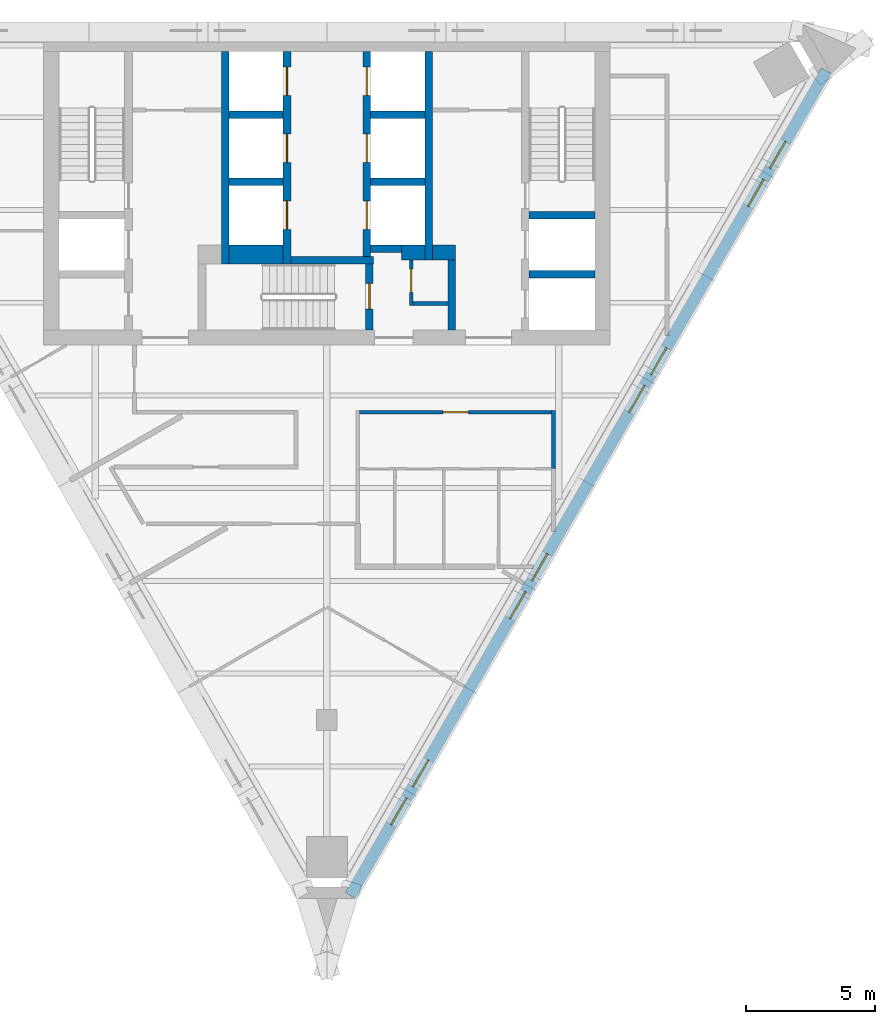
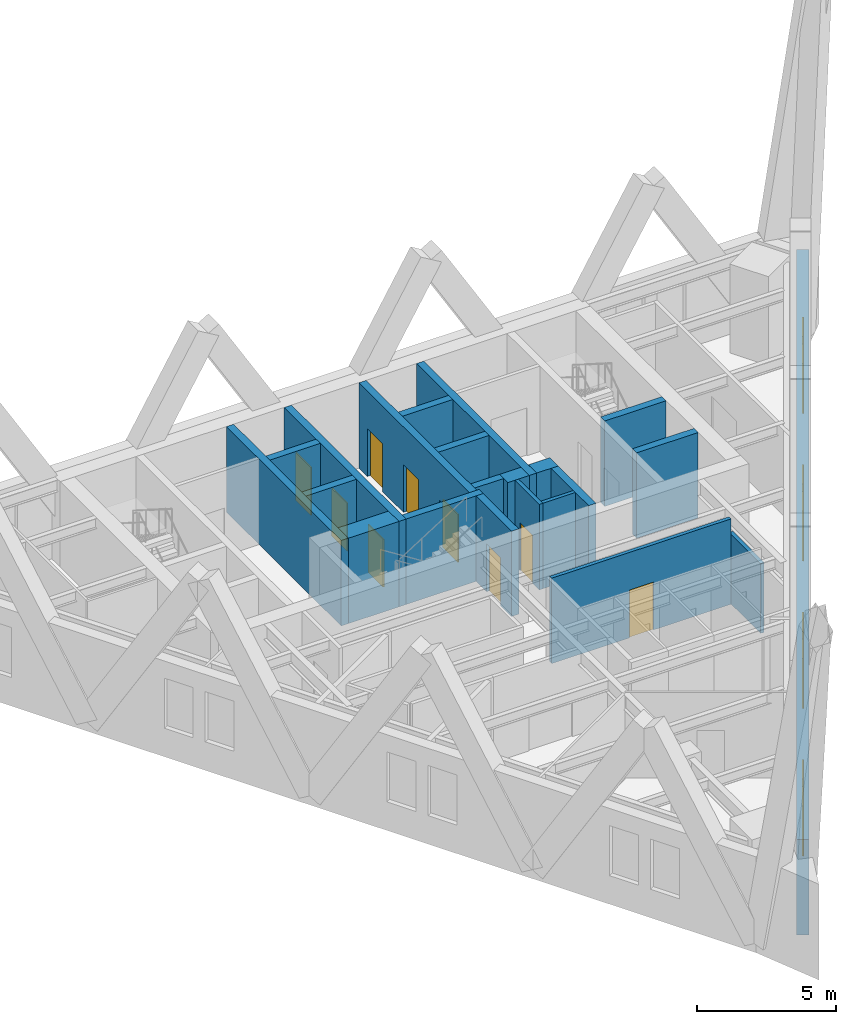
# One storey, part 4 of 6: 22 walls, 9 doors, 8 windows, 17 openings.
"""IFC4 building model written with IfcOpenShell, lengths in metres."""

from ifc_helpers import new_model, si_unit, direction, frame, frame_2d, origin, place, context, subcontext, project, spatial, polyline, rectangle, outline, extrude, material, layer, layer_set, type_object, element, fill, save


model = new_model("IFC4")

# Units and contexts
model_context = context("Model", 3, precision=1e-05, world=origin(), true_north=direction((0.0, 1.0)))
body_context = subcontext(model_context, "Body", "Model", "MODEL_VIEW")
ifc_project = project(units=[si_unit("LENGTHUNIT", "METRE"), si_unit("AREAUNIT", "SQUARE_METRE"), si_unit("VOLUMEUNIT", "CUBIC_METRE"), si_unit("PLANEANGLEUNIT", "RADIAN"), si_unit("MASSUNIT", "GRAM", prefix="KILO")], contexts=[model_context])

# Site, building, storey
site_placement = place(None, origin())
site = spatial("IfcSite", under=ifc_project, at=site_placement, CompositionType="ELEMENT")
building_placement = place(site_placement, origin())
building = spatial("IfcBuilding", under=site, at=building_placement, Name="Aloe Facet Convention Tower", CompositionType="ELEMENT")
storey_placement = place(building_placement, frame((0.0, 0.0, 238.699951171875)))
storey = spatial("IfcBuildingStorey", under=building, at=storey_placement, Name="L58", CompositionType="ELEMENT", Elevation=238.699951171875)

# Wall, opening, door
ifc_material_1 = material(Name="Concrete blockwork partition", Category="masonry")
ifc_layer_1 = layer(ifc_material_1, 0.14990234375)
ifc_layer_set_1 = layer_set([ifc_layer_1], Name="CR-W-PART150")
wall_type_1 = type_object("IfcWallType", Name="CR-W-PART150", PredefinedType="PARTITIONING", material=ifc_layer_set_1)
wall_1_placement = place(storey_placement, frame((83.27490234375, 125.85009765625, 0.0), z_axis=(0.0, 0.0, 1.0), x_axis=(0.0, -1.0, 0.0)))
wall_1 = element("IfcWall", 1, at=wall_1_placement, inside=storey, type_object=wall_type_1, Name="Core partition L58-022", PredefinedType="PARTITIONING", context=body_context, shape_type="SweptSolid", body=[
    extrude(rectangle(XDim=1.75, YDim=0.14990234375, at=frame_2d((0.875, 0.0))), origin(), (0.0, 0.0, 1.0), 3.75),
])
opening_1_placement = place(wall_1_placement, frame((0.35009765625, 0.0, 0.0)))
opening_1 = element("IfcOpeningElement", 2, at=opening_1_placement, cuts=wall_1, Name="Opening L58-CD12", PredefinedType="OPENING", context=body_context, shape_type="SweptSolid", body=[
    extrude(rectangle(XDim=0.89990234375, YDim=2.10009765625, at=frame_2d((0.449951171875, 1.050048828125))), frame((0.0, 0.0849609375, 0.0), z_axis=(0.0, -1.0, 0.0), x_axis=(1.0, 0.0, 0.0)), (0.0, 0.0, 1.0), 0.169921875),
])
ifc_material_2 = material(Name="Steel fire-resisting door set FD60", Category="steel")
door_type_1 = type_object("IfcDoorType", Name="CR-D-REFUGE-900-FD60-SRIGHT", OperationType="SINGLE_SWING_RIGHT", PredefinedType="DOOR", material=ifc_material_2)
door_1_placement = place(opening_1_placement, origin())
door_1 = element("IfcDoor", 3, at=door_1_placement, inside=storey, type_object=door_type_1, Name="Core door L58-CD12", OperationType="SINGLE_SWING_RIGHT", OverallHeight=2.10009765625, OverallWidth=0.89990234375, PredefinedType="DOOR", context=body_context, shape_type="SweptSolid", body=[
    extrude(rectangle(XDim=0.89990234375, YDim=2.10009765625, at=frame_2d((0.449951171875, 1.050048828125))), frame((0.0, 0.02490234375, 0.0), z_axis=(0.0, -1.0, 0.0), x_axis=(1.0, 0.0, 0.0)), (0.0, 0.0, 1.0), 0.050048828125),
])
fill(opening_1, door_1)

# Walls
wall_2_placement = place(storey_placement, frame((83.35009765625, 124.175048828125, 0.0), z_axis=(0.0, 0.0, 1.0), x_axis=(1.0, 0.0, 0.0)))
element("IfcWall", 4, at=wall_2_placement, inside=storey, type_object=wall_type_1, Name="Core partition L58-023", PredefinedType="PARTITIONING", context=body_context, shape_type="SweptSolid", body=[
    extrude(rectangle(XDim=1.349853515625, YDim=0.14990234375, at=frame_2d((0.6748046875, 0.0))), origin(), (0.0, 0.0, 1.0), 3.75),
])
ifc_material_3 = material(Name="Concrete C50/60", Category="concrete")
ifc_layer_2 = layer(ifc_material_3, 0.300048828125)
ifc_layer_set_2 = layer_set([ifc_layer_2], Name="CR-W-RC300-C5060")
wall_type_2 = type_object("IfcWallType", Name="CR-W-RC300-C5060", PredefinedType="SOLIDWALL", material=ifc_layer_set_2)
wall_3_placement = place(storey_placement, frame((76.050048828125, 133.949951171875, 0.0), z_axis=(0.0, 0.0, 1.0), x_axis=(0.0, -1.0, 0.0)))
element("IfcWall", 5, at=wall_3_placement, inside=storey, type_object=wall_type_2, Name="Core wall L58-010", PredefinedType="SOLIDWALL", context=body_context, shape_type="SweptSolid", body=[
    extrude(rectangle(XDim=8.25, YDim=0.300048828125, at=frame_2d((4.125, 0.0))), origin(), (0.0, 0.0, 1.0), 3.75),
])
for number, where, z_axis, x_axis, name in (
    (6, (76.199951171875, 131.5, 0.0), (0.0, 0.0, 1.0), (1.0, 0.0, 0.0), "Core wall L58-011"),
    (7, (76.199951171875, 128.89990234375, 0.0), (0.0, 0.0, 1.0), (1.0, 0.0, 0.0), "Core wall L58-012"),
):
    element("IfcWall", number, at=place(storey_placement, frame(where, z_axis=z_axis, x_axis=x_axis)), inside=storey, type_object=wall_type_2, Name=name, PredefinedType="SOLIDWALL", context=body_context, shape_type="SweptSolid", body=[
        extrude(rectangle(XDim=2.10009765625, YDim=0.300048828125, at=frame_2d((1.050048828125, 0.0))), origin(), (0.0, 0.0, 1.0), 3.75),
    ])

# Wall, openings, doors
wall_4_placement = place(storey_placement, frame((78.449951171875, 133.949951171875, 0.0), z_axis=(0.0, 0.0, 1.0), x_axis=(0.0, -1.0, 0.0)))
wall_4 = element("IfcWall", 8, at=wall_4_placement, inside=storey, type_object=wall_type_2, Name="Core wall L58-014", PredefinedType="SOLIDWALL", context=body_context, shape_type="SweptSolid", body=[
    extrude(rectangle(XDim=8.25, YDim=0.300048828125, at=frame_2d((4.125, 0.0))), origin(), (0.0, 0.0, 1.0), 3.75),
])
opening_2_placement = place(wall_4_placement, frame((0.60009765625, 0.0, 0.0)))
opening_2 = element("IfcOpeningElement", 9, at=opening_2_placement, cuts=wall_4, Name="Opening LD-B1-L58", PredefinedType="OPENING", context=body_context, shape_type="SweptSolid", body=[
    extrude(rectangle(XDim=1.10009765625, YDim=2.10009765625, at=frame_2d((0.550048828125, 1.050048828125))), frame((0.0, 0.16015625, 0.0), z_axis=(0.0, -1.0, 0.0), x_axis=(1.0, 0.0, 0.0)), (0.0, 0.0, 1.0), 0.320068359375),
])
opening_3_placement = place(wall_4_placement, frame((3.199951171875, 0.0, 0.0)))
opening_3 = element("IfcOpeningElement", 10, at=opening_3_placement, cuts=wall_4, Name="Opening LD-B2-L58", PredefinedType="OPENING", context=body_context, shape_type="SweptSolid", body=[
    extrude(rectangle(XDim=1.10009765625, YDim=2.10009765625, at=frame_2d((0.550048828125, 1.050048828125))), frame((0.0, 0.16015625, 0.0), z_axis=(0.0, -1.0, 0.0), x_axis=(1.0, 0.0, 0.0)), (0.0, 0.0, 1.0), 0.320068359375),
])
opening_4_placement = place(wall_4_placement, frame((5.800048828125, 0.0, 0.0)))
opening_4 = element("IfcOpeningElement", 11, at=opening_4_placement, cuts=wall_4, Name="Opening LD-B3-L58", PredefinedType="OPENING", context=body_context, shape_type="SweptSolid", body=[
    extrude(rectangle(XDim=1.10009765625, YDim=2.10009765625, at=frame_2d((0.550048828125, 1.050048828125))), frame((0.0, 0.16015625, 0.0), z_axis=(0.0, -1.0, 0.0), x_axis=(1.0, 0.0, 0.0)), (0.0, 0.0, 1.0), 0.320068359375),
])
ifc_material_4 = material(Name="Stainless steel sliding landing door", Category="steel")
door_type_2 = type_object("IfcDoorType", Name="CR-LD-1100-FD60-RIGHT", OperationType="SLIDING_TO_RIGHT", PredefinedType="DOOR", material=ifc_material_4)
door_2_placement = place(opening_2_placement, origin())
door_2 = element("IfcDoor", 12, at=door_2_placement, inside=storey, type_object=door_type_2, Name="Landing door B1 L58", OperationType="SLIDING_TO_RIGHT", OverallHeight=2.10009765625, OverallWidth=1.10009765625, PredefinedType="DOOR", context=body_context, shape_type="SweptSolid", body=[
    extrude(rectangle(XDim=1.10009765625, YDim=2.10009765625, at=frame_2d((0.550048828125, 1.050048828125))), frame((0.0, 0.02490234375, 0.0), z_axis=(0.0, -1.0, 0.0), x_axis=(1.0, 0.0, 0.0)), (0.0, 0.0, 1.0), 0.050048828125),
])
fill(opening_2, door_2)
door_3_placement = place(opening_3_placement, origin())
door_3 = element("IfcDoor", 13, at=door_3_placement, inside=storey, type_object=door_type_2, Name="Landing door B2 L58", OperationType="SLIDING_TO_RIGHT", OverallHeight=2.10009765625, OverallWidth=1.10009765625, PredefinedType="DOOR", context=body_context, shape_type="SweptSolid", body=[
    extrude(rectangle(XDim=1.10009765625, YDim=2.10009765625, at=frame_2d((0.550048828125, 1.050048828125))), frame((0.0, 0.02490234375, 0.0), z_axis=(0.0, -1.0, 0.0), x_axis=(1.0, 0.0, 0.0)), (0.0, 0.0, 1.0), 0.050048828125),
])
fill(opening_3, door_3)
door_4_placement = place(opening_4_placement, origin())
door_4 = element("IfcDoor", 14, at=door_4_placement, inside=storey, type_object=door_type_2, Name="Landing door B3 L58", OperationType="SLIDING_TO_RIGHT", OverallHeight=2.10009765625, OverallWidth=1.10009765625, PredefinedType="DOOR", context=body_context, shape_type="SweptSolid", body=[
    extrude(rectangle(XDim=1.10009765625, YDim=2.10009765625, at=frame_2d((0.550048828125, 1.050048828125))), frame((0.0, 0.02490234375, 0.0), z_axis=(0.0, -1.0, 0.0), x_axis=(1.0, 0.0, 0.0)), (0.0, 0.0, 1.0), 0.050048828125),
])
fill(opening_4, door_4)

# Wall
wall_5_placement = place(storey_placement, frame((78.60009765625, 125.85009765625, 0.0), z_axis=(0.0, 0.0, 1.0), x_axis=(1.0, 0.0, 0.0)))
element("IfcWall", 15, at=wall_5_placement, inside=storey, type_object=wall_type_2, Name="Core wall L58-015", PredefinedType="SOLIDWALL", context=body_context, shape_type="SweptSolid", body=[
    extrude(rectangle(XDim=3.199951171875, YDim=0.300048828125, at=frame_2d((1.60009765625, 0.0))), origin(), (0.0, 0.0, 1.0), 3.75),
])

# Wall, openings, doors
wall_6_placement = place(storey_placement, frame((81.550048828125, 133.949951171875, 0.0), z_axis=(0.0, 0.0, 1.0), x_axis=(0.0, -1.0, 0.0)))
wall_6 = element("IfcWall", 16, at=wall_6_placement, inside=storey, type_object=wall_type_2, Name="Core wall L58-016", PredefinedType="SOLIDWALL", context=body_context, shape_type="SweptSolid", body=[
    extrude(rectangle(XDim=7.949951171875, YDim=0.300048828125, at=frame_2d((3.97509765625, 0.0))), origin(), (0.0, 0.0, 1.0), 3.75),
])
opening_5_placement = place(wall_6_placement, frame((0.60009765625, 0.0, 0.0)))
opening_5 = element("IfcOpeningElement", 17, at=opening_5_placement, cuts=wall_6, Name="Opening LD-B4-L58", PredefinedType="OPENING", context=body_context, shape_type="SweptSolid", body=[
    extrude(rectangle(XDim=1.10009765625, YDim=2.10009765625, at=frame_2d((0.550048828125, 1.050048828125))), frame((0.0, 0.16015625, 0.0), z_axis=(0.0, -1.0, 0.0), x_axis=(1.0, 0.0, 0.0)), (0.0, 0.0, 1.0), 0.320068359375),
])
opening_6_placement = place(wall_6_placement, frame((3.199951171875, 0.0, 0.0)))
opening_6 = element("IfcOpeningElement", 18, at=opening_6_placement, cuts=wall_6, Name="Opening LD-B5-L58", PredefinedType="OPENING", context=body_context, shape_type="SweptSolid", body=[
    extrude(rectangle(XDim=1.10009765625, YDim=2.10009765625, at=frame_2d((0.550048828125, 1.050048828125))), frame((0.0, 0.16015625, 0.0), z_axis=(0.0, -1.0, 0.0), x_axis=(1.0, 0.0, 0.0)), (0.0, 0.0, 1.0), 0.320068359375),
])
opening_7_placement = place(wall_6_placement, frame((5.800048828125, 0.0, 0.0)))
opening_7 = element("IfcOpeningElement", 19, at=opening_7_placement, cuts=wall_6, Name="Opening LD-B6-L58", PredefinedType="OPENING", context=body_context, shape_type="SweptSolid", body=[
    extrude(rectangle(XDim=1.10009765625, YDim=2.10009765625, at=frame_2d((0.550048828125, 1.050048828125))), frame((0.0, 0.16015625, 0.0), z_axis=(0.0, -1.0, 0.0), x_axis=(1.0, 0.0, 0.0)), (0.0, 0.0, 1.0), 0.320068359375),
])
ifc_material_5 = material(Name="Stainless steel sliding landing door", Category="steel")
door_type_3 = type_object("IfcDoorType", Name="CR-LD-1100-FD60-_LEFT", OperationType="SLIDING_TO_LEFT", PredefinedType="DOOR", material=ifc_material_5)
door_5_placement = place(opening_5_placement, origin())
door_5 = element("IfcDoor", 20, at=door_5_placement, inside=storey, type_object=door_type_3, Name="Landing door B4 L58", OperationType="SLIDING_TO_LEFT", OverallHeight=2.10009765625, OverallWidth=1.10009765625, PredefinedType="DOOR", context=body_context, shape_type="SweptSolid", body=[
    extrude(rectangle(XDim=1.10009765625, YDim=2.10009765625, at=frame_2d((0.550048828125, 1.050048828125))), frame((0.0, 0.02490234375, 0.0), z_axis=(0.0, -1.0, 0.0), x_axis=(1.0, 0.0, 0.0)), (0.0, 0.0, 1.0), 0.050048828125),
])
fill(opening_5, door_5)
door_6_placement = place(opening_6_placement, origin())
door_6 = element("IfcDoor", 21, at=door_6_placement, inside=storey, type_object=door_type_3, Name="Landing door B5 L58", OperationType="SLIDING_TO_LEFT", OverallHeight=2.10009765625, OverallWidth=1.10009765625, PredefinedType="DOOR", context=body_context, shape_type="SweptSolid", body=[
    extrude(rectangle(XDim=1.10009765625, YDim=2.10009765625, at=frame_2d((0.550048828125, 1.050048828125))), frame((0.0, 0.02490234375, 0.0), z_axis=(0.0, -1.0, 0.0), x_axis=(1.0, 0.0, 0.0)), (0.0, 0.0, 1.0), 0.050048828125),
])
fill(opening_6, door_6)
door_7_placement = place(opening_7_placement, origin())
door_7 = element("IfcDoor", 22, at=door_7_placement, inside=storey, type_object=door_type_3, Name="Landing door B6 L58", OperationType="SLIDING_TO_LEFT", OverallHeight=2.10009765625, OverallWidth=1.10009765625, PredefinedType="DOOR", context=body_context, shape_type="SweptSolid", body=[
    extrude(rectangle(XDim=1.10009765625, YDim=2.10009765625, at=frame_2d((0.550048828125, 1.050048828125))), frame((0.0, 0.02490234375, 0.0), z_axis=(0.0, -1.0, 0.0), x_axis=(1.0, 0.0, 0.0)), (0.0, 0.0, 1.0), 0.050048828125),
])
fill(opening_7, door_7)

# Wall, opening, door
wall_7_placement = place(storey_placement, frame((81.64990234375, 125.699951171875, 0.0), z_axis=(0.0, 0.0, 1.0), x_axis=(0.0, -1.0, 0.0)))
wall_7 = element("IfcWall", 23, at=wall_7_placement, inside=storey, type_object=wall_type_2, Name="Core wall L58-017", PredefinedType="SOLIDWALL", context=body_context, shape_type="SweptSolid", body=[
    extrude(rectangle(XDim=2.550048828125, YDim=0.300048828125, at=frame_2d((1.27490234375, 0.0))), origin(), (0.0, 0.0, 1.0), 3.75),
])
opening_8_placement = place(wall_7_placement, frame((0.75, 0.0, 0.0)))
opening_8 = element("IfcOpeningElement", 24, at=opening_8_placement, cuts=wall_7, Name="Opening L58-CD18", PredefinedType="OPENING", context=body_context, shape_type="SweptSolid", body=[
    extrude(rectangle(XDim=1.0, YDim=2.10009765625, at=frame_2d((0.5, 1.050048828125))), frame((0.0, 0.16015625, 0.0), z_axis=(0.0, -1.0, 0.0), x_axis=(1.0, 0.0, 0.0)), (0.0, 0.0, 1.0), 0.320068359375),
])
ifc_material_6 = material(Name="Steel fire-resisting door set FD120", Category="steel")
door_type_4 = type_object("IfcDoorType", Name="CR-D-STAIR-1000-FD120-SLEFT", OperationType="SINGLE_SWING_LEFT", PredefinedType="DOOR", material=ifc_material_6)
door_8_placement = place(opening_8_placement, origin())
door_8 = element("IfcDoor", 25, at=door_8_placement, inside=storey, type_object=door_type_4, Name="Core door L58-CD18", OperationType="SINGLE_SWING_LEFT", OverallHeight=2.10009765625, OverallWidth=1.0, PredefinedType="DOOR", context=body_context, shape_type="SweptSolid", body=[
    extrude(rectangle(XDim=1.0, YDim=2.10009765625, at=frame_2d((0.5, 1.050048828125))), frame((0.0, 0.02490234375, 0.0), z_axis=(0.0, -1.0, 0.0), x_axis=(1.0, 0.0, 0.0)), (0.0, 0.0, 1.0), 0.050048828125),
])
fill(opening_8, door_8)

# Walls
for number, where, z_axis, x_axis, name in (
    (26, (81.699951171875, 131.5, 0.0), (0.0, 0.0, 1.0), (1.0, 0.0, 0.0), "Core wall L58-018"),
    (27, (81.699951171875, 128.89990234375, 0.0), (0.0, 0.0, 1.0), (1.0, 0.0, 0.0), "Core wall L58-019"),
):
    element("IfcWall", number, at=place(storey_placement, frame(where, z_axis=z_axis, x_axis=x_axis)), inside=storey, type_object=wall_type_2, Name=name, PredefinedType="SOLIDWALL", context=body_context, shape_type="SweptSolid", body=[
        extrude(rectangle(XDim=2.10009765625, YDim=0.300048828125, at=frame_2d((1.050048828125, 0.0))), origin(), (0.0, 0.0, 1.0), 3.75),
    ])
wall_8_placement = place(storey_placement, frame((81.699951171875, 126.300048828125, 0.0), z_axis=(0.0, 0.0, 1.0), x_axis=(1.0, 0.0, 0.0)))
element("IfcWall", 28, at=wall_8_placement, inside=storey, type_object=wall_type_2, Name="Core wall L58-020", PredefinedType="SOLIDWALL", context=body_context, shape_type="SweptSolid", body=[
    extrude(rectangle(XDim=1.199951171875, YDim=0.300048828125, at=frame_2d((0.60009765625, 0.0))), origin(), (0.0, 0.0, 1.0), 3.75),
])
wall_9_placement = place(storey_placement, frame((83.949951171875, 133.949951171875, 0.0), z_axis=(0.0, 0.0, 1.0), x_axis=(0.0, -1.0, 0.0)))
element("IfcWall", 29, at=wall_9_placement, inside=storey, type_object=wall_type_2, Name="Core wall L58-024", PredefinedType="SOLIDWALL", context=body_context, shape_type="SweptSolid", body=[
    extrude(rectangle(XDim=8.099853515625, YDim=0.300048828125, at=frame_2d((4.0498046875, 0.0))), origin(), (0.0, 0.0, 1.0), 3.75),
])
wall_10_placement = place(storey_placement, frame((84.85009765625, 125.85009765625, 0.0), z_axis=(0.0, 0.0, 1.0), x_axis=(0.0, -1.0, 0.0)))
element("IfcWall", 30, at=wall_10_placement, inside=storey, type_object=wall_type_2, Name="Core wall L58-027", PredefinedType="SOLIDWALL", context=body_context, shape_type="SweptSolid", body=[
    extrude(rectangle(XDim=2.7001953125, YDim=0.300048828125, at=frame_2d((1.35009765625, 0.0))), origin(), (0.0, 0.0, 1.0), 3.75),
])
for number, where, z_axis, x_axis, name in (
    (31, (87.85009765625, 127.60009765625, 0.0), (0.0, 0.0, 1.0), (1.0, 0.0, 0.0), "Core wall L58-029"),
    (32, (87.85009765625, 125.300048828125, 0.0), (0.0, 0.0, 1.0), (1.0, 0.0, 0.0), "Core wall L58-030"),
):
    element("IfcWall", number, at=place(storey_placement, frame(where, z_axis=z_axis, x_axis=x_axis)), inside=storey, type_object=wall_type_2, Name=name, PredefinedType="SOLIDWALL", context=body_context, shape_type="SweptSolid", body=[
        extrude(rectangle(XDim=2.5498046875, YDim=0.300048828125, at=frame_2d((1.27490234375, 0.0))), origin(), (0.0, 0.0, 1.0), 3.75),
    ])
ifc_material_7 = material(Name="Concrete C50/60", Category="concrete")
ifc_layer_3 = layer(ifc_material_7, 0.60009765625)
ifc_layer_set_3 = layer_set([ifc_layer_3], Name="CR-W-RC600-C5060")
wall_type_3 = type_object("IfcWallType", Name="CR-W-RC600-C5060", PredefinedType="SOLIDWALL", material=ifc_layer_set_3)
wall_11_placement = place(storey_placement, frame((82.89990234375, 126.14990234375, 0.0), z_axis=(0.0, 0.0, 1.0), x_axis=(1.0, 0.0, 0.0)))
element("IfcWall", 33, at=wall_11_placement, inside=storey, type_object=wall_type_3, Name="Core wall L58-021", PredefinedType="SOLIDWALL", context=body_context, shape_type="SweptSolid", body=[
    extrude(rectangle(XDim=0.900146484375, YDim=0.60009765625, at=frame_2d((0.4501953125, 0.0))), origin(), (0.0, 0.0, 1.0), 3.75),
])
wall_12_placement = place(storey_placement, frame((84.10009765625, 126.14990234375, 0.0), z_axis=(0.0, 0.0, 1.0), x_axis=(1.0, 0.0, 0.0)))
element("IfcWall", 34, at=wall_12_placement, inside=storey, type_object=wall_type_3, Name="Core wall L58-026", PredefinedType="SOLIDWALL", context=body_context, shape_type="SweptSolid", body=[
    extrude(rectangle(XDim=0.89990234375, YDim=0.60009765625, at=frame_2d((0.449951171875, 0.0))), origin(), (0.0, 0.0, 1.0), 3.75),
])
ifc_material_8 = material(Name="Concrete C50/60", Category="concrete")
ifc_layer_4 = layer(ifc_material_8, 0.75)
ifc_layer_set_4 = layer_set([ifc_layer_4], Name="CR-W-RC750-C5060")
wall_type_4 = type_object("IfcWallType", Name="CR-W-RC750-C5060", PredefinedType="SOLIDWALL", material=ifc_layer_set_4)
wall_13_placement = place(storey_placement, frame((76.199951171875, 126.074951171875, 0.0), z_axis=(0.0, 0.0, 1.0), x_axis=(1.0, 0.0, 0.0)))
element("IfcWall", 35, at=wall_13_placement, inside=storey, type_object=wall_type_4, Name="Core wall L58-013", PredefinedType="SOLIDWALL", context=body_context, shape_type="SweptSolid", body=[
    extrude(rectangle(XDim=2.10009765625, YDim=0.75, at=frame_2d((1.050048828125, 0.0))), origin(), (0.0, 0.0, 1.0), 3.75),
])

# Wall, openings, windows
ifc_material_9 = material(Name="Precast concrete C40/50", Category="concrete")
ifc_layer_5 = layer(ifc_material_9, 0.449951171875)
ifc_layer_set_5 = layer_set([ifc_layer_5], Name="EV-WALL-STONE")
wall_type_5 = type_object("IfcWallType", Name="EV-WALL-STONE", PredefinedType="SOLIDWALL", material=ifc_layer_set_5)
wall_14_placement = place(storey_placement, frame((80.905029296875, 101.188232421875, -0.449951171875), z_axis=(0.0, 0.0, 1.0), x_axis=(0.500002536638, 0.866023939251, 0.0)))
wall_14 = element("IfcWall", 36, at=wall_14_placement, inside=storey, type_object=wall_type_5, Name="EW-L58-E01", PredefinedType="SOLIDWALL", context=body_context, shape_type="SweptSolid", body=[
    extrude(outline(polyline([(36.972412109375, 0.0), (36.972412109375, 4.199951171875), (0.0, 4.199951171875), (0.0, 0.0), (36.972412109375, 0.0)])), frame((0.0, 0.22509765625, 0.0), z_axis=(0.0, -1.0, 0.0), x_axis=(1.0, 0.0, 0.0)), (0.0, 0.0, 1.0), 0.449951171875),
])
opening_9_placement = place(wall_14_placement, frame((3.171630859375, 0.0, 1.25)))
opening_9 = element("IfcOpeningElement", 37, at=opening_9_placement, cuts=wall_14, Name="Opening W-L58-E01", PredefinedType="OPENING", context=body_context, shape_type="SweptSolid", body=[
    extrude(rectangle(XDim=1.199951171875, YDim=2.199951171875, at=frame_2d((0.60009765625, 1.10009765625))), frame((0.0, 0.23486328125, 0.0), z_axis=(0.0, -1.0, 0.0), x_axis=(1.0, 0.0, 0.0)), (0.0, 0.0, 1.0), 0.469970703125),
])
opening_10_placement = place(wall_14_placement, frame((4.87158203125, 0.0, 1.25)))
opening_10 = element("IfcOpeningElement", 38, at=opening_10_placement, cuts=wall_14, Name="Opening W-L58-E02", PredefinedType="OPENING", context=body_context, shape_type="SweptSolid", body=[
    extrude(rectangle(XDim=1.199951171875, YDim=2.199951171875, at=frame_2d((0.60009765625, 1.10009765625))), frame((0.0, 0.23486328125, 0.0), z_axis=(0.0, -1.0, 0.0), x_axis=(1.0, 0.0, 0.0)), (0.0, 0.0, 1.0), 0.469970703125),
])
opening_11_placement = place(wall_14_placement, frame((12.41455078125, 0.0, 1.25)))
opening_11 = element("IfcOpeningElement", 39, at=opening_11_placement, cuts=wall_14, Name="Opening W-L58-E03", PredefinedType="OPENING", context=body_context, shape_type="SweptSolid", body=[
    extrude(rectangle(XDim=1.199951171875, YDim=2.199951171875, at=frame_2d((0.60009765625, 1.10009765625))), frame((0.0, 0.23486328125, 0.0), z_axis=(0.0, -1.0, 0.0), x_axis=(1.0, 0.0, 0.0)), (0.0, 0.0, 1.0), 0.469970703125),
])
opening_12_placement = place(wall_14_placement, frame((14.114501953125, 0.0, 1.25)))
opening_12 = element("IfcOpeningElement", 40, at=opening_12_placement, cuts=wall_14, Name="Opening W-L58-E04", PredefinedType="OPENING", context=body_context, shape_type="SweptSolid", body=[
    extrude(rectangle(XDim=1.199951171875, YDim=2.199951171875, at=frame_2d((0.60009765625, 1.10009765625))), frame((0.0, 0.23486328125, 0.0), z_axis=(0.0, -1.0, 0.0), x_axis=(1.0, 0.0, 0.0)), (0.0, 0.0, 1.0), 0.469970703125),
])
opening_13_placement = place(wall_14_placement, frame((21.65771484375, 0.0, 1.25)))
opening_13 = element("IfcOpeningElement", 41, at=opening_13_placement, cuts=wall_14, Name="Opening W-L58-E05", PredefinedType="OPENING", context=body_context, shape_type="SweptSolid", body=[
    extrude(rectangle(XDim=1.199951171875, YDim=2.199951171875, at=frame_2d((0.60009765625, 1.10009765625))), frame((0.0, 0.23486328125, 0.0), z_axis=(0.0, -1.0, 0.0), x_axis=(1.0, 0.0, 0.0)), (0.0, 0.0, 1.0), 0.469970703125),
])
opening_14_placement = place(wall_14_placement, frame((23.357666015625, 0.0, 1.25)))
opening_14 = element("IfcOpeningElement", 42, at=opening_14_placement, cuts=wall_14, Name="Opening W-L58-E06", PredefinedType="OPENING", context=body_context, shape_type="SweptSolid", body=[
    extrude(rectangle(XDim=1.199951171875, YDim=2.199951171875, at=frame_2d((0.60009765625, 1.10009765625))), frame((0.0, 0.23486328125, 0.0), z_axis=(0.0, -1.0, 0.0), x_axis=(1.0, 0.0, 0.0)), (0.0, 0.0, 1.0), 0.469970703125),
])
opening_15_placement = place(wall_14_placement, frame((30.90087890625, 0.0, 1.25)))
opening_15 = element("IfcOpeningElement", 43, at=opening_15_placement, cuts=wall_14, Name="Opening W-L58-E07", PredefinedType="OPENING", context=body_context, shape_type="SweptSolid", body=[
    extrude(rectangle(XDim=1.199951171875, YDim=2.199951171875, at=frame_2d((0.60009765625, 1.10009765625))), frame((0.0, 0.23486328125, 0.0), z_axis=(0.0, -1.0, 0.0), x_axis=(1.0, 0.0, 0.0)), (0.0, 0.0, 1.0), 0.469970703125),
])
opening_16_placement = place(wall_14_placement, frame((32.600830078125, 0.0, 1.25)))
opening_16 = element("IfcOpeningElement", 44, at=opening_16_placement, cuts=wall_14, Name="Opening W-L58-E08", PredefinedType="OPENING", context=body_context, shape_type="SweptSolid", body=[
    extrude(rectangle(XDim=1.199951171875, YDim=2.199951171875, at=frame_2d((0.60009765625, 1.10009765625))), frame((0.0, 0.23486328125, 0.0), z_axis=(0.0, -1.0, 0.0), x_axis=(1.0, 0.0, 0.0)), (0.0, 0.0, 1.0), 0.469970703125),
])
ifc_material_10 = material(Name="Aluminium frame, clear double glazing", Category="aluminium")
window_type = type_object("IfcWindowType", Name="EV-WIN-O12", PartitioningType="SINGLE_PANEL", PredefinedType="WINDOW", material=ifc_material_10)
window_1_placement = place(opening_9_placement, origin())
window_1 = element("IfcWindow", 45, at=window_1_placement, inside=storey, type_object=window_type, Name="W-L58-E01", OverallHeight=2.199951171875, OverallWidth=1.199951171875, PartitioningType="SINGLE_PANEL", PredefinedType="WINDOW", context=body_context, shape_type="SweptSolid", body=[
    extrude(rectangle(XDim=1.199951171875, YDim=2.199951171875, at=frame_2d((0.60009765625, 1.10009765625))), frame((0.0, 0.030029296875, 0.0), z_axis=(0.0, -1.0, 0.0), x_axis=(1.0, 0.0, 0.0)), (0.0, 0.0, 1.0), 0.06005859375),
])
fill(opening_9, window_1)
window_2_placement = place(opening_10_placement, origin())
window_2 = element("IfcWindow", 46, at=window_2_placement, inside=storey, type_object=window_type, Name="W-L58-E02", OverallHeight=2.199951171875, OverallWidth=1.199951171875, PartitioningType="SINGLE_PANEL", PredefinedType="WINDOW", context=body_context, shape_type="SweptSolid", body=[
    extrude(rectangle(XDim=1.199951171875, YDim=2.199951171875, at=frame_2d((0.60009765625, 1.10009765625))), frame((0.0, 0.030029296875, 0.0), z_axis=(0.0, -1.0, 0.0), x_axis=(1.0, 0.0, 0.0)), (0.0, 0.0, 1.0), 0.06005859375),
])
fill(opening_10, window_2)
window_3_placement = place(opening_11_placement, origin())
window_3 = element("IfcWindow", 47, at=window_3_placement, inside=storey, type_object=window_type, Name="W-L58-E03", OverallHeight=2.199951171875, OverallWidth=1.199951171875, PartitioningType="SINGLE_PANEL", PredefinedType="WINDOW", context=body_context, shape_type="SweptSolid", body=[
    extrude(rectangle(XDim=1.199951171875, YDim=2.199951171875, at=frame_2d((0.60009765625, 1.10009765625))), frame((0.0, 0.030029296875, 0.0), z_axis=(0.0, -1.0, 0.0), x_axis=(1.0, 0.0, 0.0)), (0.0, 0.0, 1.0), 0.06005859375),
])
fill(opening_11, window_3)
window_4_placement = place(opening_12_placement, origin())
window_4 = element("IfcWindow", 48, at=window_4_placement, inside=storey, type_object=window_type, Name="W-L58-E04", OverallHeight=2.199951171875, OverallWidth=1.199951171875, PartitioningType="SINGLE_PANEL", PredefinedType="WINDOW", context=body_context, shape_type="SweptSolid", body=[
    extrude(rectangle(XDim=1.199951171875, YDim=2.199951171875, at=frame_2d((0.60009765625, 1.10009765625))), frame((0.0, 0.030029296875, 0.0), z_axis=(0.0, -1.0, 0.0), x_axis=(1.0, 0.0, 0.0)), (0.0, 0.0, 1.0), 0.06005859375),
])
fill(opening_12, window_4)
window_5_placement = place(opening_13_placement, origin())
window_5 = element("IfcWindow", 49, at=window_5_placement, inside=storey, type_object=window_type, Name="W-L58-E05", OverallHeight=2.199951171875, OverallWidth=1.199951171875, PartitioningType="SINGLE_PANEL", PredefinedType="WINDOW", context=body_context, shape_type="SweptSolid", body=[
    extrude(rectangle(XDim=1.199951171875, YDim=2.199951171875, at=frame_2d((0.60009765625, 1.10009765625))), frame((0.0, 0.030029296875, 0.0), z_axis=(0.0, -1.0, 0.0), x_axis=(1.0, 0.0, 0.0)), (0.0, 0.0, 1.0), 0.06005859375),
])
fill(opening_13, window_5)
window_6_placement = place(opening_14_placement, origin())
window_6 = element("IfcWindow", 50, at=window_6_placement, inside=storey, type_object=window_type, Name="W-L58-E06", OverallHeight=2.199951171875, OverallWidth=1.199951171875, PartitioningType="SINGLE_PANEL", PredefinedType="WINDOW", context=body_context, shape_type="SweptSolid", body=[
    extrude(rectangle(XDim=1.199951171875, YDim=2.199951171875, at=frame_2d((0.60009765625, 1.10009765625))), frame((0.0, 0.030029296875, 0.0), z_axis=(0.0, -1.0, 0.0), x_axis=(1.0, 0.0, 0.0)), (0.0, 0.0, 1.0), 0.06005859375),
])
fill(opening_14, window_6)
window_7_placement = place(opening_15_placement, origin())
window_7 = element("IfcWindow", 51, at=window_7_placement, inside=storey, type_object=window_type, Name="W-L58-E07", OverallHeight=2.199951171875, OverallWidth=1.199951171875, PartitioningType="SINGLE_PANEL", PredefinedType="WINDOW", context=body_context, shape_type="SweptSolid", body=[
    extrude(rectangle(XDim=1.199951171875, YDim=2.199951171875, at=frame_2d((0.60009765625, 1.10009765625))), frame((0.0, 0.030029296875, 0.0), z_axis=(0.0, -1.0, 0.0), x_axis=(1.0, 0.0, 0.0)), (0.0, 0.0, 1.0), 0.06005859375),
])
fill(opening_15, window_7)
window_8_placement = place(opening_16_placement, origin())
window_8 = element("IfcWindow", 52, at=window_8_placement, inside=storey, type_object=window_type, Name="W-L58-E08", OverallHeight=2.199951171875, OverallWidth=1.199951171875, PartitioningType="SINGLE_PANEL", PredefinedType="WINDOW", context=body_context, shape_type="SweptSolid", body=[
    extrude(rectangle(XDim=1.199951171875, YDim=2.199951171875, at=frame_2d((0.60009765625, 1.10009765625))), frame((0.0, 0.030029296875, 0.0), z_axis=(0.0, -1.0, 0.0), x_axis=(1.0, 0.0, 0.0)), (0.0, 0.0, 1.0), 0.06005859375),
])
fill(opening_16, window_8)

# Wall
ifc_material_11 = material(Name="Gypsum board partition on steel studs", Category="steel")
ifc_layer_6 = layer(ifc_material_11, 0.14990234375)
ifc_layer_set_6 = layer_set([ifc_layer_6], Name="IN-W-CORR")
wall_type_6 = type_object("IfcWallType", Name="IN-W-CORR", PredefinedType="PARTITIONING", material=ifc_layer_set_6)
wall_15_placement = place(storey_placement, frame((88.800048828125, 117.760009765625, 0.0), z_axis=(0.0, 0.0, 1.0), x_axis=(0.0, 1.0, 0.0)))
element("IfcWall", 53, at=wall_15_placement, inside=storey, type_object=wall_type_6, Name="Partition L58-W016", PredefinedType="PARTITIONING", context=body_context, shape_type="SweptSolid", body=[
    extrude(rectangle(XDim=2.262939453125, YDim=0.14990234375, at=frame_2d((1.13134765625, 0.0))), origin(), (0.0, 0.0, 1.0), 3.062255859375),
])

# Wall, opening, door
wall_16_placement = place(storey_placement, frame((81.27490234375, 119.947998046875, 0.0), z_axis=(0.0, 0.0, 1.0), x_axis=(1.0, 0.0, 0.0)))
wall_16 = element("IfcWall", 54, at=wall_16_placement, inside=storey, type_object=wall_type_6, Name="Partition L58-W031", PredefinedType="PARTITIONING", context=body_context, shape_type="SweptSolid", body=[
    extrude(rectangle(XDim=7.4501953125, YDim=0.14990234375, at=frame_2d((3.72509765625, 0.0))), origin(), (0.0, 0.0, 1.0), 3.75),
])
opening_17_placement = place(wall_16_placement, frame((3.22509765625, 0.0, 0.0)))
opening_17 = element("IfcOpeningElement", 55, at=opening_17_placement, cuts=wall_16, Name="Opening L58-001", PredefinedType="OPENING", context=body_context, shape_type="SweptSolid", body=[
    extrude(rectangle(XDim=1.0, YDim=2.10009765625, at=frame_2d((0.5, 1.050048828125))), frame((0.0, 0.0849609375, 0.0), z_axis=(0.0, -1.0, 0.0), x_axis=(1.0, 0.0, 0.0)), (0.0, 0.0, 1.0), 0.169921875),
])
ifc_material_12 = material(Name="Timber door FD30S with vision panel", Category="wood")
door_type_5 = type_object("IfcDoorType", Name="IN-OFF-D-ENTRY", OperationType="SINGLE_SWING_LEFT", PredefinedType="DOOR", material=ifc_material_12)
door_9_placement = place(opening_17_placement, origin())
door_9 = element("IfcDoor", 56, at=door_9_placement, inside=storey, type_object=door_type_5, Name="Door L58-001", OperationType="SINGLE_SWING_LEFT", OverallHeight=2.10009765625, OverallWidth=1.0, PredefinedType="DOOR", context=body_context, shape_type="SweptSolid", body=[
    extrude(rectangle(XDim=1.0, YDim=2.10009765625, at=frame_2d((0.5, 1.050048828125))), frame((0.0, 0.02490234375, 0.0), z_axis=(0.0, -1.0, 0.0), x_axis=(1.0, 0.0, 0.0)), (0.0, 0.0, 1.0), 0.050048828125),
])
fill(opening_17, door_9)

save(model, "model.ifc")
